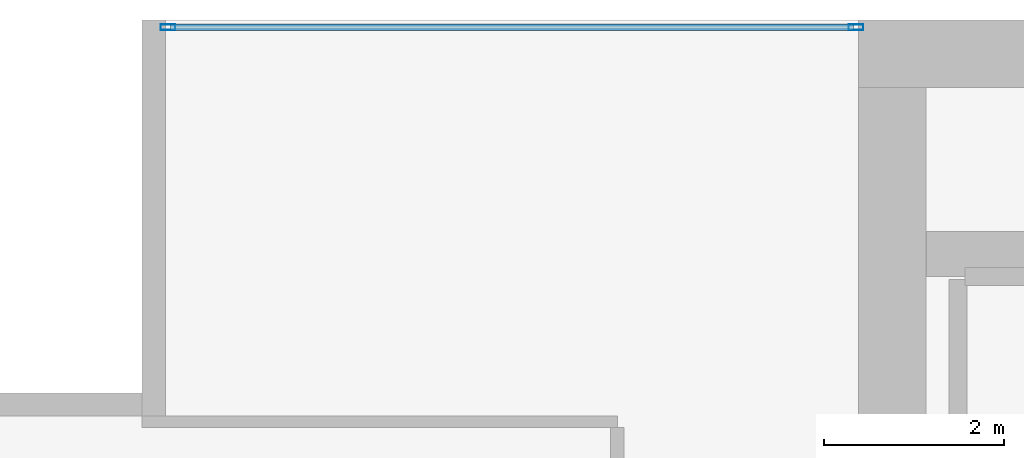
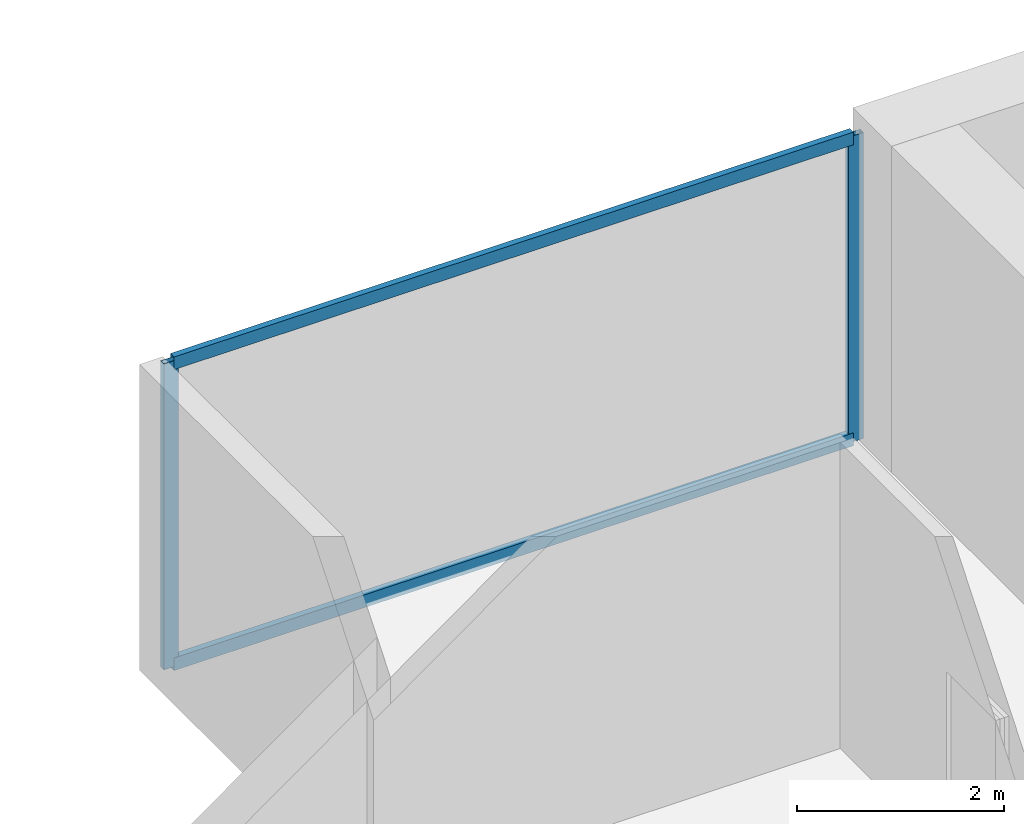
# One storey, part 22 of 33: 4 members, 1 element without a shape of its own.
"""IFC4 building model written with IfcOpenShell, lengths in metres."""

from ifc_helpers import new_model, si_unit, direction, frame, origin, origin_2d, place, context, subcontext, project, spatial, hollow_rectangle, extrude, material, layer, layer_set, material_profile, profile_set, type_object, element, aggregate, save


model = new_model("IFC4")

# Units and contexts
model_context = context("Model", 3, precision=1e-05, world=origin(), true_north=direction((0.0, 1.0)))
body_context = subcontext(model_context, "Body", "Model", "MODEL_VIEW")
ifc_project = project(units=[si_unit("LENGTHUNIT", "METRE"), si_unit("AREAUNIT", "SQUARE_METRE"), si_unit("VOLUMEUNIT", "CUBIC_METRE"), si_unit("PLANEANGLEUNIT", "RADIAN"), si_unit("MASSUNIT", "GRAM", prefix="KILO")], contexts=[model_context])

# Site, building, storey
site_placement = place(None, origin())
site = spatial("IfcSite", under=ifc_project, at=site_placement, CompositionType="ELEMENT")
building_placement = place(site_placement, origin())
building = spatial("IfcBuilding", under=site, at=building_placement, Name="Maruvema Waterfront Hotel and Observation Tower", CompositionType="ELEMENT")
storey_placement = place(building_placement, frame((0.0, 0.0, 154.35009765625)))
storey = spatial("IfcBuildingStorey", under=building, at=storey_placement, Name="L37", CompositionType="ELEMENT", Elevation=154.35009765625)

# Curtain wall, members
ifc_material_1 = material(Name="Anodised bronze aluminium and solar-control low-E IGU", Category="aluminium")
ifc_layer = layer(ifc_material_1, 0.159912109375, Name="Zone 2 Amber Inner Thermal Curtain Wall System CW-03")
ifc_layer_set = layer_set([ifc_layer], Name="Anodised bronze aluminium and solar-control low-E IGU")
curtain_wall_type = type_object("IfcCurtainWallType", Name="Zone 2 Amber Inner Thermal Curtain Wall System CW-03", PredefinedType="USERDEFINED", material=ifc_layer_set)
curtain_wall_placement = place(storey_placement, origin())
curtain_wall = element("IfcCurtainWall", 1, at=curtain_wall_placement, inside=storey, type_object=curtain_wall_type, Name="L37 Curtain Wall CW-L37-NW", ObjectType="UNITISED CURTAIN WALL", PredefinedType="USERDEFINED")
ifc_material_2 = material(Name="Anodised architectural bronze aluminium", Category="aluminium")
ifc_material_profile_1 = material_profile(ifc_material_2, hollow_rectangle(XDim=0.070068359375, YDim=0.14990234375, WallThickness=0.00390625, at=origin_2d()), Name="ALU-T70x150")
ifc_profile_set_1 = profile_set([ifc_material_profile_1], Name="Anodised architectural bronze aluminium")
member_type_1 = type_object("IfcMemberType", Name="Curtain Wall Horizontal Transom ALU-T70x150", PredefinedType="USERDEFINED", material=ifc_profile_set_1)
member_1_placement = place(storey_placement, frame((25.139892578125, 53.919921875, 0.02978515625), z_axis=(-1.0, 0.0, 0.0), x_axis=(0.0, -1.0, 0.0)))
member_1 = element("IfcMember", 2, at=member_1_placement, type_object=member_type_1, Name="CW-03 transom 1.1", ObjectType="TRANSOM", PredefinedType="USERDEFINED", context=body_context, shape_type="SweptSolid", body=[
    extrude(hollow_rectangle(XDim=0.070068359375, YDim=0.14990234375, WallThickness=0.00390625, at=origin_2d()), origin(), (0.0, 0.0, 1.0), 7.579833984375),
])
member_2_placement = place(storey_placement, frame((25.139892578125, 53.919921875, 3.579833984375), z_axis=(-1.0, 0.0, 0.0), x_axis=(0.0, -1.0, 0.0)))
member_2 = element("IfcMember", 3, at=member_2_placement, type_object=member_type_1, Name="CW-03 transom 1.2", ObjectType="TRANSOM", PredefinedType="USERDEFINED", context=body_context, shape_type="SweptSolid", body=[
    extrude(hollow_rectangle(XDim=0.070068359375, YDim=0.14990234375, WallThickness=0.00390625, at=origin_2d()), origin(), (0.0, 0.0, 1.0), 7.579833984375),
])
ifc_material_3 = material(Name="Anodised architectural bronze aluminium", Category="aluminium")
ifc_material_profile_2 = material_profile(ifc_material_3, hollow_rectangle(XDim=0.06494140625, YDim=0.1650390625, WallThickness=0.00390625, at=origin_2d()), Name="ALU-M65x165")
ifc_profile_set_2 = profile_set([ifc_material_profile_2], Name="Anodised architectural bronze aluminium")
member_type_2 = type_object("IfcMemberType", Name="Curtain Wall Primary Mullion ALU-M65x165", PredefinedType="MULLION", material=ifc_profile_set_2)
member_3_placement = place(storey_placement, frame((25.169921875, 53.919921875, 0.0), z_axis=(0.0, 0.0, 1.0), x_axis=(0.0, -1.0, 0.0)))
member_3 = element("IfcMember", 4, at=member_3_placement, type_object=member_type_2, Name="CW-03 mullion 1", PredefinedType="MULLION", context=body_context, shape_type="SweptSolid", body=[
    extrude(hollow_rectangle(XDim=0.06494140625, YDim=0.1650390625, WallThickness=0.00390625, at=origin_2d()), origin(), (0.0, 0.0, 1.0), 3.60986328125),
])
member_4_placement = place(storey_placement, frame((17.530029296875, 53.919921875, 0.0), z_axis=(0.0, 0.0, 1.0), x_axis=(0.0, -1.0, 0.0)))
member_4 = element("IfcMember", 5, at=member_4_placement, type_object=member_type_2, Name="CW-03 mullion 2", PredefinedType="MULLION", context=body_context, shape_type="SweptSolid", body=[
    extrude(hollow_rectangle(XDim=0.06494140625, YDim=0.1650390625, WallThickness=0.00390625, at=origin_2d()), origin(), (0.0, 0.0, 1.0), 3.60986328125),
])
aggregate(curtain_wall, [member_3, member_4, member_1, member_2])

save(model, "model.ifc")
